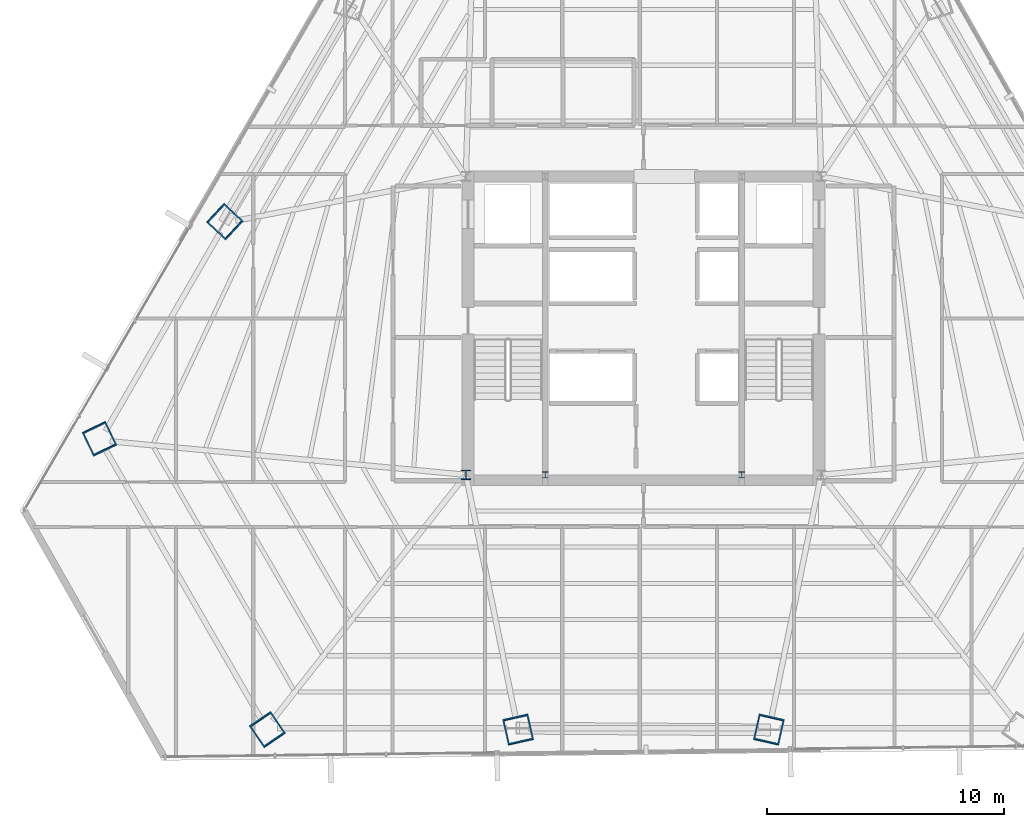
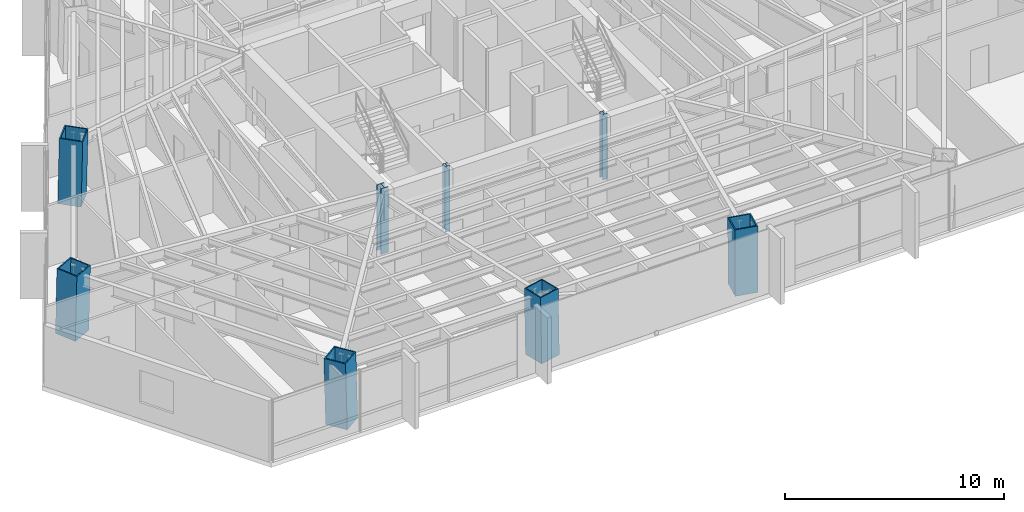
# One storey, part 1 of 37: 8 columns.
"""IFC4 building model written with IfcOpenShell, lengths in metres."""

from ifc_helpers import new_model, si_unit, direction, frame, origin, origin_2d, place, context, subcontext, project, spatial, hollow_rectangle, i_section, extrude, source, transform, mapped, material, material_profile, profile_set, type_object, type_shapes, element, save


model = new_model("IFC4")

# Units and contexts
model_context = context("Model", 3, precision=1e-05, world=origin(), true_north=direction((0.0, 1.0)))
body_context = subcontext(model_context, "Body", "Model", "MODEL_VIEW")
ifc_project = project(units=[si_unit("LENGTHUNIT", "METRE"), si_unit("AREAUNIT", "SQUARE_METRE"), si_unit("VOLUMEUNIT", "CUBIC_METRE"), si_unit("PLANEANGLEUNIT", "RADIAN"), si_unit("MASSUNIT", "GRAM", prefix="KILO")], contexts=[model_context])

# Site, building, storey
site_placement = place(None, origin())
site = spatial("IfcSite", under=ifc_project, at=site_placement, CompositionType="ELEMENT")
building_placement = place(site_placement, origin())
building = spatial("IfcBuilding", under=site, at=building_placement, Name="Caelisora Broadcast Tower", CompositionType="ELEMENT")
storey_placement = place(building_placement, frame((0.0, 0.0, 120.0)))
storey = spatial("IfcBuildingStorey", under=building, at=storey_placement, Name="L31", CompositionType="ELEMENT", Elevation=120.0)

# Columns
ifc_material_1 = material(Name="Steel Grade 350 (AS/NZS 3679.1)", Category="steel")
ifc_material_profile_1 = material_profile(ifc_material_1, i_section(OverallWidth=0.256103515625, OverallDepth=0.260009765625, WebThickness=0.010498046875, FlangeThickness=0.017333984375, at=origin_2d()), Name="Steel Grade 350 (AS/NZS 3679.1)")
ifc_profile_set_1 = profile_set([ifc_material_profile_1], Name="Steel Grade 350 (AS/NZS 3679.1)")
column_type_1 = type_object("IfcColumnType", Name="CC05", PredefinedType="COLUMN", material=ifc_profile_set_1)
shared_shape_1 = source(origin(), body_context, "Body", "SweptSolid", [
    extrude(i_section(OverallWidth=0.256103515625, OverallDepth=0.260009765625, WebThickness=0.010498046875, FlangeThickness=0.017333984375, at=origin_2d()), origin(), (0.0, 0.0, 1.0), 3.64990234375),
])
type_shapes(column_type_1, [shared_shape_1])
for number, where, z_axis, x_axis, name in (
    (1, (33.85009765625, 17.39990234375, 0.0), (0.0, 0.0, 1.0), (1.0, 0.0, 0.0), "L31 column CC05"),
    (2, (42.14990234375, 17.39990234375, 0.0), (0.0, 0.0, 1.0), (1.0, 0.0, 0.0), "L31 column CC05"),
):
    element("IfcColumn", number, at=place(storey_placement, frame(where, z_axis=z_axis, x_axis=x_axis)), inside=storey, type_object=column_type_1, Name=name, PredefinedType="COLUMN", context=body_context, shape_type="MappedRepresentation", body=[
        mapped(shared_shape_1, transform((0.0, 0.0, 0.0), scale=1.0)),
    ])
ifc_material_2 = material(Name="Steel Grade 350 (AS/NZS 3679.2)", Category="steel")
ifc_material_profile_2 = material_profile(ifc_material_2, i_section(OverallWidth=0.39990234375, OverallDepth=0.39990234375, WebThickness=0.02001953125, FlangeThickness=0.031982421875, at=origin_2d()), Name="Steel Grade 350 (AS/NZS 3679.2)")
ifc_profile_set_2 = profile_set([ifc_material_profile_2], Name="Steel Grade 350 (AS/NZS 3679.2)")
column_type_2 = type_object("IfcColumnType", Name="CC02", PredefinedType="COLUMN", material=ifc_profile_set_2)
shared_shape_2 = source(origin(), body_context, "Body", "SweptSolid", [
    extrude(i_section(OverallWidth=0.39990234375, OverallDepth=0.39990234375, WebThickness=0.02001953125, FlangeThickness=0.031982421875, at=origin_2d()), origin(), (0.0, 0.0, 1.0), 3.64990234375),
])
type_shapes(column_type_2, [shared_shape_2])
column_placement = place(storey_placement, frame((30.5, 17.39990234375, 0.0), z_axis=(0.0, 0.0, 1.0), x_axis=(1.0, 0.0, 0.0)))
element("IfcColumn", 3, at=column_placement, inside=storey, type_object=column_type_2, Name="L31 column CC02", PredefinedType="COLUMN", context=body_context, shape_type="MappedRepresentation", body=[
    mapped(shared_shape_2, transform((0.0, 0.0, 0.0), scale=1.0)),
])
ifc_material_3 = material(Name="Steel Grade 350 L15 (AS/NZS 3678)", Category="steel")
ifc_material_profile_3 = material_profile(ifc_material_3, hollow_rectangle(XDim=1.10009765625, YDim=1.10009765625, WallThickness=0.06005859375, at=origin_2d()), Name="Steel Grade 350 L15 (AS/NZS 3678)")
ifc_profile_set_3 = profile_set([ifc_material_profile_3], Name="Steel Grade 350 L15 (AS/NZS 3678)")
column_type_3 = type_object("IfcColumnType", Name="MC03", PredefinedType="COLUMN", material=ifc_profile_set_3)
shared_shape_3 = source(origin(), body_context, "Body", "SweptSolid", [
    extrude(hollow_rectangle(XDim=1.10009765625, YDim=1.10009765625, WallThickness=0.06005859375, at=origin_2d()), origin(), (0.0, 0.0, 1.0), 3.65087890625),
])
for number, where, z_axis, x_axis, name in (
    (4, (15.018798828125, 18.935302734375, 0.0), (0.010431780378, -0.021599135014, 0.999712286273), (0.900476348161, 0.434904985489, 0.0), "L31 column MC03"),
    (5, (22.123291015625, 6.630126953125, 0.0), (-0.013507825582, 0.019793645407, 0.999712833893), (-0.825991119814, -0.563683129062, 0.0), "L31 column MC03"),
):
    element("IfcColumn", number, at=place(storey_placement, frame(where, z_axis=z_axis, x_axis=x_axis)), inside=storey, type_object=column_type_3, Name=name, PredefinedType="COLUMN", context=body_context, shape_type="MappedRepresentation", body=[
        mapped(shared_shape_3, transform((0.0, 0.0, 0.0), scale=1.0)),
    ])
shared_shape_4 = source(origin(), body_context, "Body", "SweptSolid", [
    extrude(hollow_rectangle(XDim=1.10009765625, YDim=1.10009765625, WallThickness=0.06005859375, at=origin_2d()), origin(), (0.0, 0.0, 1.0), 3.650634765625),
])
type_shapes(column_type_3, [shared_shape_3, shared_shape_4])
for number, where, z_axis, x_axis, name in (
    (6, (20.311279296875, 28.101806640625, 0.0), (0.014846438617, -0.013843300873, 0.999793951913), (0.681966025159, 0.731383853069, 0.0), "L31 column MC03"),
    (7, (32.707763671875, 6.630126953125, 0.0), (-0.004480682206, 0.019795252729, 0.999794014513), (-0.975326687046, -0.220766513622, 0.0), "L31 column MC03"),
    (8, (43.292236328125, 6.630126953125, 0.0), (0.004480682206, 0.019795252729, 0.999794014513), (-0.975326687046, 0.220766513622, 0.0), "L31 column MC03"),
):
    element("IfcColumn", number, at=place(storey_placement, frame(where, z_axis=z_axis, x_axis=x_axis)), inside=storey, type_object=column_type_3, Name=name, PredefinedType="COLUMN", context=body_context, shape_type="MappedRepresentation", body=[
        mapped(shared_shape_4, transform((0.0, 0.0, 0.0), scale=1.0)),
    ])

save(model, "model.ifc")
